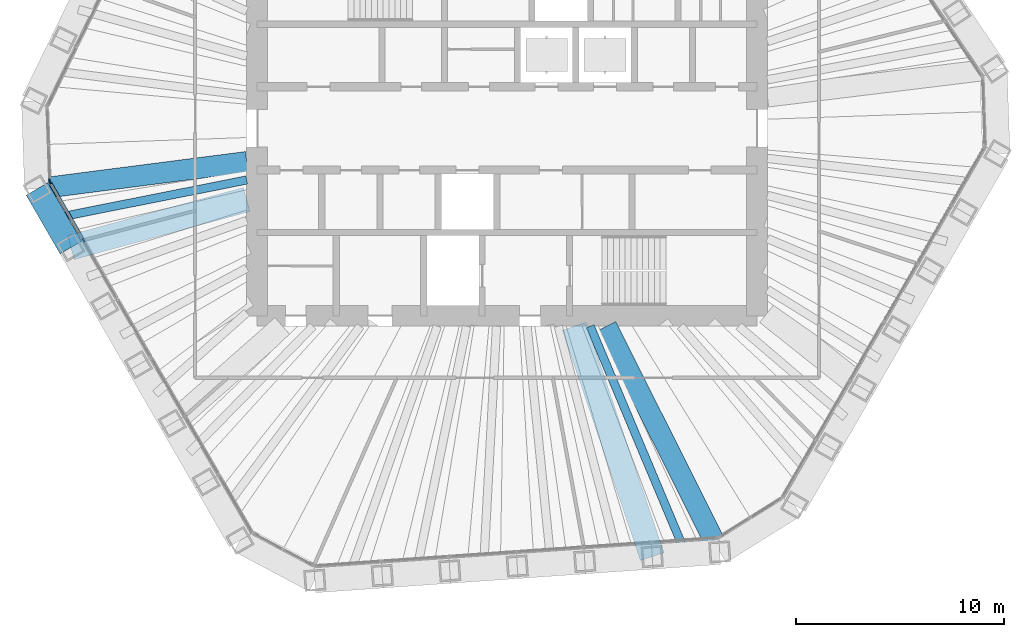
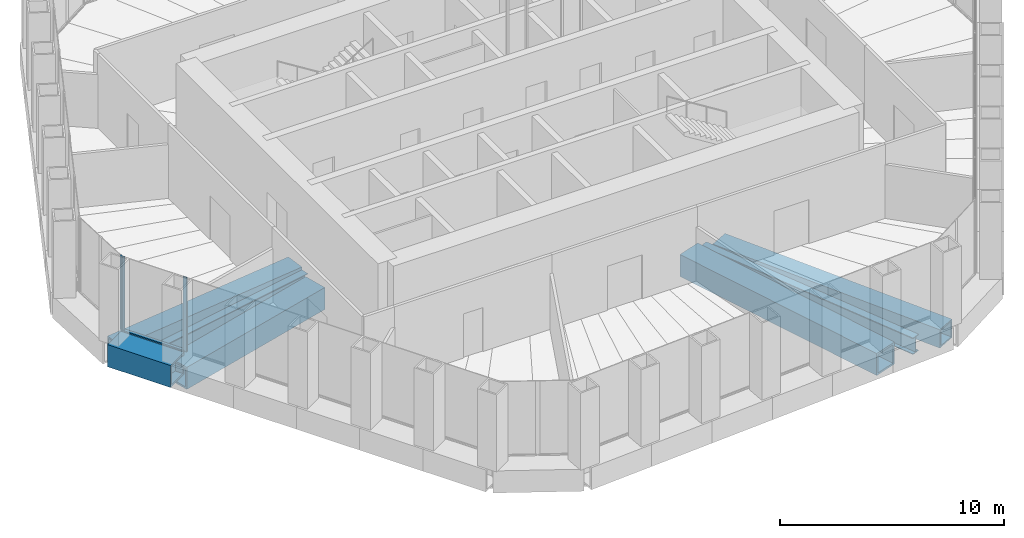
# One storey, part 3 of 19: 6 beams, 5 members, 2 elements without a shape of their own.
"""IFC4 building model written with IfcOpenShell, lengths in metres."""

from ifc_helpers import new_model, si_unit, direction, frame, origin, origin_2d, place, context, subcontext, project, spatial, rectangle, hollow_rectangle, i_section, extrude, material, material_profile, profile_set, type_object, element, aggregate, save


model = new_model("IFC4")

# Units and contexts
model_context = context("Model", 3, precision=1e-05, world=origin(), true_north=direction((0.0, 1.0)))
body_context = subcontext(model_context, "Body", "Model", "MODEL_VIEW")
ifc_project = project(units=[si_unit("LENGTHUNIT", "METRE"), si_unit("AREAUNIT", "SQUARE_METRE"), si_unit("VOLUMEUNIT", "CUBIC_METRE"), si_unit("PLANEANGLEUNIT", "RADIAN"), si_unit("MASSUNIT", "GRAM", prefix="KILO")], contexts=[model_context])

# Site, building, storey
site_placement = place(None, origin())
site = spatial("IfcSite", under=ifc_project, at=site_placement, CompositionType="ELEMENT")
building_placement = place(site_placement, origin())
building = spatial("IfcBuilding", under=site, at=building_placement, Name="Qingtian Harvest Tower", CompositionType="ELEMENT")
storey_placement = place(building_placement, frame((0.0, 0.0, 262.0)))
storey = spatial("IfcBuildingStorey", under=building, at=storey_placement, Name="L57", CompositionType="ELEMENT", Elevation=262.0)

# Member
ifc_material_1 = material(Name="Steel SM570MC", Category="steel")
ifc_material_profile_1 = material_profile(ifc_material_1, hollow_rectangle(XDim=1.199951171875, YDim=1.199951171875, WallThickness=0.10009765625, at=origin_2d()), Name="BOX1200x1200x100")
ifc_profile_set_1 = profile_set([ifc_material_profile_1], Name="Steel SM570MC")
member_type_1 = type_object("IfcMemberType", Name="Belt truss chord BC3 BOX1200x1200x100", PredefinedType="CHORD", material=ifc_profile_set_1)
member_1_placement = place(storey_placement, frame((-20.945556640625, -5.721435546875, -0.60009765625), z_axis=(-0.499987045439, 0.866032882975, 0.0), x_axis=(-0.866032882975, -0.499987045439, 0.0)))
element("IfcMember", 1, at=member_1_placement, inside=storey, type_object=member_type_1, Name="Belt chord BC3 SW5", PredefinedType="CHORD", context=body_context, shape_type="SweptSolid", body=[
    extrude(hollow_rectangle(XDim=1.199951171875, YDim=1.199951171875, WallThickness=0.10009765625, at=origin_2d()), origin(), (0.0, 0.0, 1.0), 3.248046875),
])

# Beams
ifc_material_2 = material(Name="Steel SN490B", Category="steel")
ifc_material_profile_2 = material_profile(ifc_material_2, i_section(OverallWidth=0.39990234375, OverallDepth=0.89990234375, WebThickness=0.01904296875, FlangeThickness=0.035888671875, at=origin_2d()), Name="H900x400x19x36")
ifc_profile_set_2 = profile_set([ifc_material_profile_2], Name="Steel SN490B")
beam_type_1 = type_object("IfcBeamType", Name="Floor joist J4 H900x400x19x36", PredefinedType="JOIST", material=ifc_profile_set_2)
beam_1_placement = place(storey_placement, frame((8.58935546875, -20.45068359375, -0.6201171875), z_axis=(-0.387238075679, 0.921979757232, 0.0), x_axis=(-0.921979757232, -0.387238075679, 0.0)))
element("IfcBeam", 2, at=beam_1_placement, inside=storey, type_object=beam_type_1, Name="Floor joist J4 S0", PredefinedType="JOIST", context=body_context, shape_type="SweptSolid", body=[
    extrude(i_section(OverallWidth=0.39990234375, OverallDepth=0.89990234375, WebThickness=0.01904296875, FlangeThickness=0.035888671875, at=origin_2d()), origin(), (0.0, 0.0, 1.0), 11.87744140625),
])
beam_2_placement = place(storey_placement, frame((-21.757568359375, -4.31494140625, -0.6201171875), z_axis=(0.980896774681, 0.194528962937, 0.0), x_axis=(-0.194528962937, 0.980896774681, 0.0)))
element("IfcBeam", 3, at=beam_2_placement, inside=storey, type_object=beam_type_1, Name="Floor joist J4 SW5", PredefinedType="JOIST", context=body_context, shape_type="SweptSolid", body=[
    extrude(i_section(OverallWidth=0.39990234375, OverallDepth=0.89990234375, WebThickness=0.01904296875, FlangeThickness=0.035888671875, at=origin_2d()), origin(), (0.0, 0.0, 1.0), 9.437744140625),
])

# Curtain wall, members
ifc_material_3 = material(Name="Bronze-anodised aluminium curtain wall", Category="aluminium")
curtain_wall_type = type_object("IfcCurtainWallType", Name="Curtain wall CW3 sky lobby", PredefinedType="USERDEFINED", material=ifc_material_3)
curtain_wall_1_placement = place(storey_placement, origin())
curtain_wall_1 = element("IfcCurtainWall", 4, at=curtain_wall_1_placement, inside=storey, type_object=curtain_wall_type, Name="Curtain wall CW3 L57 SW0-5", ObjectType="RECESSED CURTAIN WALL", PredefinedType="USERDEFINED")
ifc_material_4 = material(Name="Bronze-anodised aluminium mullion", Category="aluminium")
ifc_material_profile_3 = material_profile(ifc_material_4, rectangle(XDim=0.06494140625, YDim=0.199951171875, at=origin_2d()), Name="AL 65x200")
ifc_profile_set_3 = profile_set([ifc_material_profile_3], Name="Bronze-anodised aluminium mullion")
member_type_2 = type_object("IfcMemberType", Name="Mullion CWM 65x200", PredefinedType="MULLION", material=ifc_profile_set_3)
member_2_placement = place(storey_placement, frame((-20.33935546875, -5.371337890625, 0.0), z_axis=(0.0, 0.0, 1.0), x_axis=(-0.866025403784, -0.5, 0.0)))
member_2 = element("IfcMember", 5, at=member_2_placement, type_object=member_type_2, Name="CW3 mullion 6", PredefinedType="MULLION", context=body_context, shape_type="SweptSolid", body=[
    extrude(rectangle(XDim=0.06494140625, YDim=0.199951171875, at=origin_2d()), origin(), (0.0, 0.0, 1.0), 4.030029296875),
])
member_3_placement = place(storey_placement, frame((-21.947021484375, -2.586669921875, 0.0), z_axis=(0.0, 0.0, 1.0), x_axis=(-0.866025403784, -0.5, 0.0)))
member_3 = element("IfcMember", 6, at=member_3_placement, type_object=member_type_2, Name="CW3 mullion 7", PredefinedType="MULLION", context=body_context, shape_type="SweptSolid", body=[
    extrude(rectangle(XDim=0.06494140625, YDim=0.199951171875, at=origin_2d()), origin(), (0.0, 0.0, 1.0), 4.030029296875),
])

# Curtain wall, member
curtain_wall_2_placement = place(storey_placement, origin())
curtain_wall_2 = element("IfcCurtainWall", 7, at=curtain_wall_2_placement, inside=storey, type_object=curtain_wall_type, Name="Curtain wall CW3 L57 SWC", ObjectType="RECESSED CURTAIN WALL", PredefinedType="USERDEFINED")
member_4_placement = place(storey_placement, frame((-21.96435546875, -2.526123046875, 0.0), z_axis=(0.0, 0.0, 1.0), x_axis=(-0.999390827019, -0.034899496703, 0.0)))
member_4 = element("IfcMember", 8, at=member_4_placement, type_object=member_type_2, Name="CW3 mullion 1", PredefinedType="MULLION", context=body_context, shape_type="SweptSolid", body=[
    extrude(rectangle(XDim=0.06494140625, YDim=0.199951171875, at=origin_2d()), origin(), (0.0, 0.0, 1.0), 4.030029296875),
])
aggregate(curtain_wall_2, [member_4])

# Beams
ifc_material_5 = material(Name="Steel SM570MC", Category="steel")
ifc_material_profile_4 = material_profile(ifc_material_5, hollow_rectangle(XDim=1.199951171875, YDim=1.199951171875, WallThickness=0.10009765625, at=origin_2d()), Name="BOX1200x1200x100")
ifc_profile_set_4 = profile_set([ifc_material_profile_4], Name="Steel SM570MC")
beam_type_2 = type_object("IfcBeamType", Name="Outrigger chord beam OC2 BOX1200x1200x100", PredefinedType="BEAM", material=ifc_profile_set_4)
beam_3_placement = place(storey_placement, frame((6.96923828125, -20.56396484375, -0.77001953125), z_axis=(-0.320963665382, 0.947091508517, 0.0), x_axis=(-0.947091508517, -0.320963665382, 0.0)))
element("IfcBeam", 9, at=beam_3_placement, inside=storey, type_object=beam_type_2, Name="Floor beam OC2 S1", PredefinedType="BEAM", context=body_context, shape_type="SweptSolid", body=[
    extrude(hollow_rectangle(XDim=1.199951171875, YDim=1.199951171875, WallThickness=0.10009765625, at=origin_2d()), origin(), (0.0, 0.0, 1.0), 11.68212890625),
])
beam_4_placement = place(storey_placement, frame((-20.945556640625, -5.721435546875, -0.77001953125), z_axis=(0.964660783636, 0.263494919335, 0.0), x_axis=(-0.263494919335, 0.964660783636, 0.0)))
element("IfcBeam", 10, at=beam_4_placement, inside=storey, type_object=beam_type_2, Name="Floor beam OC2 SW5", PredefinedType="BEAM", context=body_context, shape_type="SweptSolid", body=[
    extrude(hollow_rectangle(XDim=1.199951171875, YDim=1.199951171875, WallThickness=0.10009765625, at=origin_2d()), origin(), (0.0, 0.0, 1.0), 8.7548828125),
])
ifc_material_6 = material(Name="Steel SM570MC", Category="steel")
ifc_material_profile_5 = material_profile(ifc_material_6, hollow_rectangle(XDim=1.0, YDim=1.0, WallThickness=0.080078125, at=origin_2d()), Name="BOX1000x1000x80")
ifc_profile_set_5 = profile_set([ifc_material_profile_5], Name="Steel SM570MC")
beam_type_3 = type_object("IfcBeamType", Name="Transfer corner beam FB11 BOX1000x1000x80", PredefinedType="BEAM", material=ifc_profile_set_5)
beam_5_placement = place(storey_placement, frame((10.20947265625, -20.33740234375, -0.669921875), z_axis=(-0.448646499463, 0.89370930314, 0.0), x_axis=(-0.89370930314, -0.448646499463, 0.0)))
element("IfcBeam", 11, at=beam_5_placement, inside=storey, type_object=beam_type_3, Name="Floor beam FB11 S0", PredefinedType="BEAM", context=body_context, shape_type="SweptSolid", body=[
    extrude(hollow_rectangle(XDim=1.0, YDim=1.0, WallThickness=0.080078125, at=origin_2d()), origin(), (0.0, 0.0, 1.0), 12.126220703125),
])
beam_6_placement = place(storey_placement, frame((-22.569580078125, -2.908447265625, -0.669921875), z_axis=(0.991799019918, 0.127807292784, 0.0), x_axis=(-0.127807292784, 0.991799019918, 0.0)))
element("IfcBeam", 12, at=beam_6_placement, inside=storey, type_object=beam_type_3, Name="Floor beam FB11 SW6", PredefinedType="BEAM", context=body_context, shape_type="SweptSolid", body=[
    extrude(hollow_rectangle(XDim=1.0, YDim=1.0, WallThickness=0.080078125, at=origin_2d()), origin(), (0.0, 0.0, 1.0), 10.15283203125),
])

# Member
ifc_material_7 = material(Name="Bronze-anodised aluminium transom", Category="aluminium")
ifc_material_profile_6 = material_profile(ifc_material_7, rectangle(XDim=0.14990234375, YDim=0.06494140625, at=origin_2d()), Name="AL 65x150")
ifc_profile_set_6 = profile_set([ifc_material_profile_6], Name="Bronze-anodised aluminium transom")
member_type_3 = type_object("IfcMemberType", Name="Transom CWT 65x150", PredefinedType="USERDEFINED", material=ifc_profile_set_6)
member_5_placement = place(storey_placement, frame((-20.35546875, -5.34326171875, 0.032470703125), z_axis=(-0.499972881236, 0.866041060244, 0.0), x_axis=(-0.866041060244, -0.499972881236, 0.0)))
member_5 = element("IfcMember", 13, at=member_5_placement, type_object=member_type_3, Name="CW3 transom 6.1", ObjectType="TRANSOM", PredefinedType="USERDEFINED", context=body_context, shape_type="SweptSolid", body=[
    extrude(rectangle(XDim=0.14990234375, YDim=0.06494140625, at=origin_2d()), origin(), (0.0, 0.0, 1.0), 3.150634765625),
])

aggregate(curtain_wall_1, [member_2, member_3, member_5])

save(model, "model.ifc")
